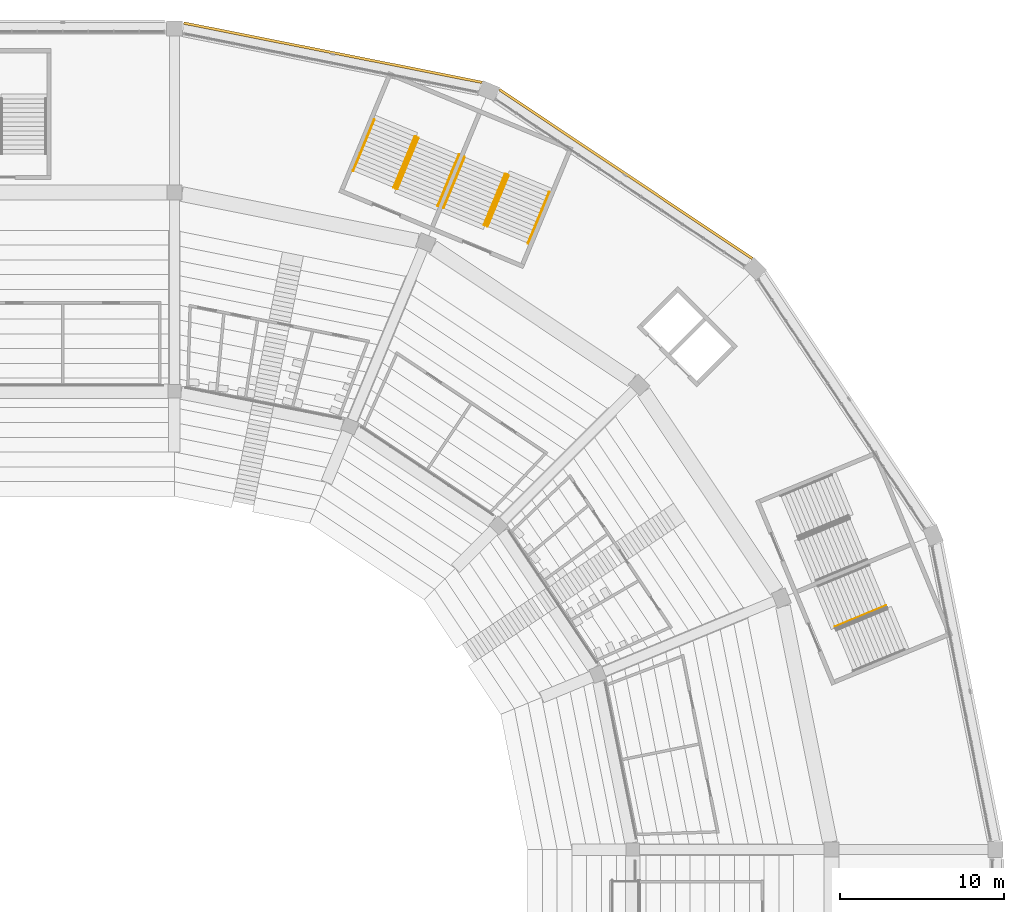
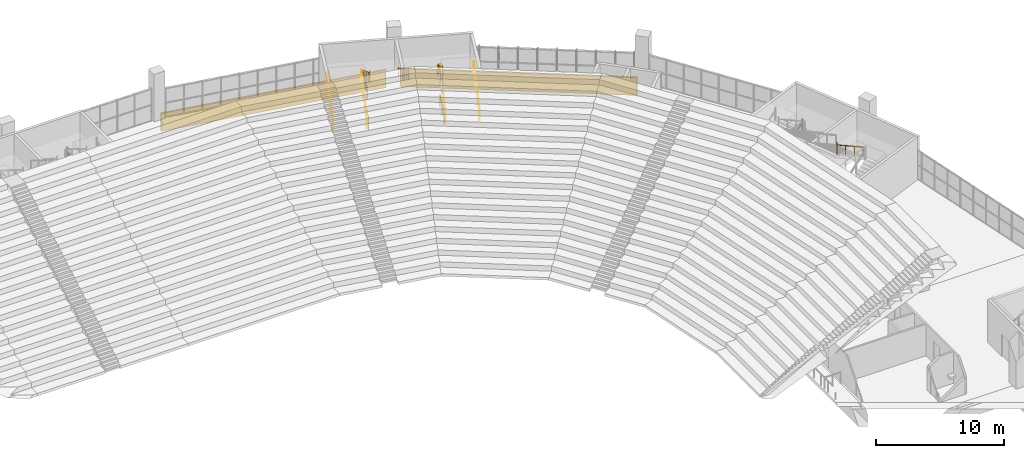
# One storey, part 242 of 249: 13 railings, 2 coverings.
"""IFC4 building model written with IfcOpenShell, lengths in metres."""

import ifcopenshell
import ifcopenshell.guid

model = None  # the IFC model being written
_history = None  # IfcOwnerHistory: only IFC2X3 demands one
_inside = {}  # id of a spatial element -> (the spatial element, [elements in it])
_under = {}  # id of a project, library or spatial element -> (it, [spatial elements below it])
_declared = {}  # id of a project -> (the project, [libraries it declares])
_typed = {}  # id of a type object -> (the type object, [elements of that type])
_made_of = {}  # id of a material, layer set ... -> (it, [elements and type objects made of it])


def new_model(schema):
    """Start an empty IFC model of exactly this schema.

    Asked for "IFC4X3", IfcOpenShell would pick the latest addendum, in which some entities
    have other attributes; the version numbers below select the first issue.
    IFC2X3 requires an IfcOwnerHistory on every rooted entity: one is made here for all.
    """
    global model, _history
    if schema == "IFC4X3":
        model = ifcopenshell.file(schema_version=(4, 3, 0, 0))
    else:
        model = ifcopenshell.file(schema=schema)
    _inside.clear()
    _under.clear()
    _declared.clear()
    _typed.clear()
    _made_of.clear()
    _history = None
    if model.schema == "IFC2X3":
        org = make("IfcOrganization", Name="unknown")
        user = make(
            "IfcPersonAndOrganization",
            ThePerson=make("IfcPerson", FamilyName="unknown"),
            TheOrganization=org,
        )
        app = make(
            "IfcApplication",
            ApplicationDeveloper=org,
            Version="unknown",
            ApplicationFullName="unknown",
            ApplicationIdentifier="unknown",
        )
        _history = make(
            "IfcOwnerHistory",
            OwningUser=user,
            OwningApplication=app,
            ChangeAction="ADDED",
            CreationDate=0,
        )
    return model


def make(cls, **values):
    """One entity of the class cls with the attributes given. An attribute that is None is left unset."""
    return model.create_entity(
        cls, **{name: value for name, value in values.items() if value is not None}
    )


def rooted(cls, **values):
    """An entity with a GlobalId (a new one), such as an element, a storey or a relation."""
    return make(cls, GlobalId=ifcopenshell.guid.new(), OwnerHistory=_history, **values)


def si_unit(unit_type, name, prefix=None):
    """IfcSIUnit, for example si_unit("LENGTHUNIT", "METRE", prefix="MILLI")."""
    return make("IfcSIUnit", UnitType=unit_type, Prefix=prefix, Name=name)


def assignment(units):
    """IfcUnitAssignment: the units of a project."""
    return None if units is None else make("IfcUnitAssignment", Units=units)


def point(xyz):
    """IfcCartesianPoint."""
    return None if xyz is None else make("IfcCartesianPoint", Coordinates=xyz)


def direction(xyz):
    """IfcDirection."""
    return None if xyz is None else make("IfcDirection", DirectionRatios=xyz)


def frame(location, z_axis=None, x_axis=None):
    """IfcAxis2Placement3D, a coordinate frame: its origin and axes. An axis left out is left unset."""
    return make(
        "IfcAxis2Placement3D",
        Location=point(location),
        Axis=direction(z_axis),
        RefDirection=direction(x_axis),
    )


def frame_2d(location, x_axis=None):
    """IfcAxis2Placement2D, a coordinate frame in the plane: its origin and x axis."""
    return make(
        "IfcAxis2Placement2D", Location=point(location), RefDirection=direction(x_axis)
    )


def origin():
    """The frame at (0, 0, 0) with its axes left unset."""
    return frame((0.0, 0.0, 0.0))


def origin_2d():
    """The frame at (0, 0) in the plane with its x axis left unset."""
    return frame_2d((0.0, 0.0))


def place(relative_to, where):
    """IfcLocalPlacement: puts the frame where relative to a parent placement (None: the world)."""
    return make(
        "IfcLocalPlacement", PlacementRelTo=relative_to, RelativePlacement=where
    )


def context(
    kind, dimensions, precision=None, world=None, true_north=None, identifier=None
):
    """IfcGeometricRepresentationContext, for example the 3D "Model" context."""
    return make(
        "IfcGeometricRepresentationContext",
        ContextIdentifier=identifier,
        ContextType=kind,
        CoordinateSpaceDimension=dimensions,
        Precision=precision,
        WorldCoordinateSystem=world,
        TrueNorth=true_north,
    )


def subcontext(parent, identifier, kind, view, scale=None):
    """IfcGeometricRepresentationSubContext, for example "Body" below "Model"."""
    return make(
        "IfcGeometricRepresentationSubContext",
        ContextIdentifier=identifier,
        ContextType=kind,
        ParentContext=parent,
        TargetScale=scale,
        TargetView=view,
    )


def project(units=None, contexts=None):
    """IfcProject with its units and contexts."""
    return rooted(
        "IfcProject",
        Name="project",
        RepresentationContexts=contexts,
        UnitsInContext=assignment(units),
    )


def spatial(cls, under=None, at=None, **own):
    """A site, building, storey or space (cls), placed at a placement, below another one or the project."""
    s = rooted(cls, ObjectPlacement=at, **own)
    if under is not None:
        _under.setdefault(under.id(), (under, []))[1].append(s)
    return s


def polyline(points):
    """IfcPolyline through the points."""
    return make("IfcPolyline", Points=[point(p) for p in points])


def profile(cls, at=None, kind="AREA", **sizes):
    """A parametric profile (cls). Its sizes go by their IFC names, for example OverallWidth=200.0."""
    return make(cls, ProfileType=kind, Position=at, **sizes)


def circle(**sizes):
    """IfcCircleProfileDef."""
    return profile("IfcCircleProfileDef", **sizes)


def outline(outer, holes=None, kind="AREA"):
    """IfcArbitraryClosedProfileDef: a profile drawn as a closed curve; with holes, ...WithVoids."""
    if holes is None:
        return make("IfcArbitraryClosedProfileDef", ProfileType=kind, OuterCurve=outer)
    return make(
        "IfcArbitraryProfileDefWithVoids",
        ProfileType=kind,
        OuterCurve=outer,
        InnerCurves=holes,
    )


def extrude(swept, where, along, depth):
    """IfcExtrudedAreaSolid: the profile swept, set in the frame where, extruded along a direction by depth."""
    return make(
        "IfcExtrudedAreaSolid",
        SweptArea=swept,
        Position=where,
        ExtrudedDirection=direction(along),
        Depth=depth,
    )


def shape(context_of_items, identifier, shape_type, items):
    """IfcShapeRepresentation: the items that make up one representation, for example the "Body"."""
    return make(
        "IfcShapeRepresentation",
        ContextOfItems=context_of_items,
        RepresentationIdentifier=identifier,
        RepresentationType=shape_type,
        Items=items,
    )


def material(Name=None, Category=None):
    """IfcMaterial."""
    return make("IfcMaterial", Name=Name, Category=Category)


def layer(
    of_material, thickness, ventilated=None, Name=None, Category=None, Priority=None
):
    """IfcMaterialLayer: one layer of a wall or slab, of a material (None: an air gap)."""
    return make(
        "IfcMaterialLayer",
        Material=of_material,
        LayerThickness=thickness,
        IsVentilated=ventilated,
        Name=Name,
        Category=Category,
        Priority=Priority,
    )


def layer_set(layers, Name=None):
    """IfcMaterialLayerSet."""
    return make("IfcMaterialLayerSet", MaterialLayers=layers, LayerSetName=Name)


def made_of(thing, what):
    """Note that an element or type object is made of a material, layer set ...; save() writes the relation."""
    if what is not None:
        _made_of.setdefault(what.id(), (what, []))[1].append(thing)
    return thing


def type_object(cls, material=None, **own):
    """A type object (cls), such as IfcWallType, which elements share."""
    return made_of(rooted(cls, **own), material)


def element(
    cls,
    number,
    at=None,
    inside=None,
    cuts=None,
    type_object=None,
    material=None,
    context=None,
    identifier="Body",
    shape_type=None,
    held_by="IfcProductDefinitionShape",
    body=None,
    shapes=None,
    **own,
):
    """One element of the class cls, such as IfcWall. Its Tag is "e" and its number.

    at: its placement. inside: the storey or other place that contains it. cuts: it is an
    opening in that element (IfcRelVoidsElement). A single representation is given by context,
    identifier, shape_type and body (its items); several are given by shapes. held_by: the class
    of the entity that holds the representations. save() writes the other relations.
    """
    e = rooted(cls, Tag="e%d" % number, ObjectPlacement=at, **own)
    if body is not None:
        shapes = [shape(context, identifier, shape_type, body)]
    if shapes is not None:
        e.Representation = make(held_by, Representations=shapes)
    if inside is not None:
        _inside.setdefault(inside.id(), (inside, []))[1].append(e)
    if cuts is not None:
        rooted(
            "IfcRelVoidsElement", RelatingBuildingElement=cuts, RelatedOpeningElement=e
        )
    if type_object is not None:
        _typed.setdefault(type_object.id(), (type_object, []))[1].append(e)
    return made_of(e, material)


def aggregate(whole, parts):
    """IfcRelAggregates: a whole, such as a stair, and the parts it consists of."""
    return rooted("IfcRelAggregates", RelatingObject=whole, RelatedObjects=parts)


def save(model, path):
    """Write the relations noted so far, then the file.

    IfcRelAggregates (storeys below a building ...), IfcRelContainedInSpatialStructure (elements
    in a storey), IfcRelDefinesByType, IfcRelAssociatesMaterial and IfcRelDeclares: one each for
    every whole, place, type object, material and project.
    """
    for whole, parts in _under.values():
        aggregate(whole, parts)
    for where, things in _inside.values():
        rooted(
            "IfcRelContainedInSpatialStructure",
            RelatedElements=things,
            RelatingStructure=where,
        )
    for kind, things in _typed.values():
        rooted("IfcRelDefinesByType", RelatedObjects=things, RelatingType=kind)
    for what, things in _made_of.values():
        rooted("IfcRelAssociatesMaterial", RelatedObjects=things, RelatingMaterial=what)
    for by, libraries in _declared.values():
        rooted("IfcRelDeclares", RelatingContext=by, RelatedDefinitions=libraries)
    model.write(path)


model = new_model("IFC4")

# Units and contexts
model_context = context("Model", 3, precision=1e-05, world=origin(), true_north=direction((0.0, 1.0)))
body_context = subcontext(model_context, "Body", "Model", "MODEL_VIEW")
ifc_project = project(units=[si_unit("LENGTHUNIT", "METRE"), si_unit("AREAUNIT", "SQUARE_METRE"), si_unit("VOLUMEUNIT", "CUBIC_METRE"), si_unit("PLANEANGLEUNIT", "RADIAN"), si_unit("MASSUNIT", "GRAM", prefix="KILO")], contexts=[model_context])

# Site, building, storey
site_placement = place(None, origin())
site = spatial("IfcSite", under=ifc_project, at=site_placement, CompositionType="ELEMENT")
building_placement = place(site_placement, origin())
building = spatial("IfcBuilding", under=site, at=building_placement, Name="Ogive Plaza Stadium", CompositionType="ELEMENT")
storey_placement = place(building_placement, frame((0.0, 0.0, 13.5)))
storey = spatial("IfcBuildingStorey", under=building, at=storey_placement, Name="L03", CompositionType="ELEMENT", Elevation=13.5)

# Railings
ifc_material_1 = material(Name="Steel ASTM A572 Grade 50", Category="steel")
railing_type_1 = type_object("IfcRailingType", Name="Guard 1100", PredefinedType="GUARDRAIL", material=ifc_material_1)
for number, where, name in (
    (1, (52.955078125, 90.48779296875, 0.0), "Stair well guard ST38A L03"),
    (2, (53.322509765625, 91.374755859375, 2.25), "Stair well guard ST38A L03"),
    (3, (47.4580078125, 92.764892578125, 0.0), "Stair well guard ST38B L03"),
    (4, (47.825439453125, 93.651611328125, 2.25), "Stair well guard ST38B L03"),
):
    element("IfcRailing", number, at=place(storey_placement, frame(where)), inside=storey, type_object=railing_type_1, Name=name, PredefinedType="GUARDRAIL", context=body_context, shape_type="SweptSolid", body=[
        extrude(circle(Radius=0.02392578125, at=origin_2d()), frame((0.0, 0.0, 1.076171875), z_axis=(0.382693194178, 0.923875488976, 0.0), x_axis=(-0.923875488976, 0.382693194178, 0.0)), (0.0, 0.0, 1.0), 2.39990234375),
        extrude(circle(Radius=0.02099609375, at=origin_2d()), origin(), (0.0, 0.0, 1.0), 1.052001953125),
        extrude(circle(Radius=0.02099609375, at=origin_2d()), frame((0.459228515625, 1.108642578125, 0.0)), (0.0, 0.0, 1.0), 1.052001953125),
        extrude(circle(Radius=0.02099609375, at=origin_2d()), frame((0.91845703125, 2.21728515625, 0.0)), (0.0, 0.0, 1.0), 1.052001953125),
    ])
ifc_material_2 = material(Name="Steel ASTM A572 Grade 50", Category="steel")
railing_type_2 = type_object("IfcRailingType", Name="Handrail 900", PredefinedType="HANDRAIL", material=ifc_material_2)
railing_1_placement = place(storey_placement, frame((55.53271484375, 89.420166015625, 0.173095703125)))
element("IfcRailing", 5, at=railing_1_placement, inside=storey, type_object=railing_type_2, Name="Handrail ST38A L03", PredefinedType="HANDRAIL", context=body_context, shape_type="SweptSolid", body=[
    extrude(circle(Radius=0.02392578125, at=origin_2d()), frame((0.0, 0.0, 0.8759765625), z_axis=(0.32553207776, 0.785862990074, 0.525783441334), x_axis=(-0.923872479269, 0.382700459954, 0.0)), (0.0, 0.0, 1.0), 3.9501953125),
    extrude(circle(Radius=0.02099609375, at=origin_2d()), origin(), (0.0, 0.0, 1.0), 0.851806640625),
    extrude(circle(Radius=0.02099609375, at=origin_2d()), frame((0.4287109375, 1.03466796875, 0.6923828125)), (0.0, 0.0, 1.0), 0.851806640625),
    extrude(circle(Radius=0.02099609375, at=origin_2d()), frame((0.857177734375, 2.069580078125, 1.384521484375)), (0.0, 0.0, 1.0), 0.851806640625),
    extrude(circle(Radius=0.02099609375, at=origin_2d()), frame((1.285888671875, 3.104248046875, 2.076904296875)), (0.0, 0.0, 1.0), 1.10009765625),
])
railing_2_placement = place(storey_placement, frame((53.056884765625, 90.44580078125, 0.173095703125)))
element("IfcRailing", 6, at=railing_2_placement, inside=storey, type_object=railing_type_2, Name="Handrail ST38A L03", PredefinedType="HANDRAIL", context=body_context, shape_type="SweptSolid", body=[
    extrude(circle(Radius=0.02392578125, at=origin_2d()), frame((0.0, 0.0, 0.8759765625), z_axis=(0.325476819766, 0.785878800478, 0.525794019321), x_axis=(-0.923898168054, 0.382638439086, 0.0)), (0.0, 0.0, 1.0), 3.949951171875),
    extrude(circle(Radius=0.02099609375, at=origin_2d()), origin(), (0.0, 0.0, 1.0), 0.851806640625),
    extrude(circle(Radius=0.02099609375, at=origin_2d()), frame((0.428466796875, 1.03466796875, 0.6923828125)), (0.0, 0.0, 1.0), 0.851806640625),
    extrude(circle(Radius=0.02099609375, at=origin_2d()), frame((0.857177734375, 2.069580078125, 1.384521484375)), (0.0, 0.0, 1.0), 0.851806640625),
    extrude(circle(Radius=0.02099609375, at=origin_2d()), frame((1.28564453125, 3.104248046875, 2.076904296875)), (0.0, 0.0, 1.0), 1.10009765625),
])
railing_3_placement = place(storey_placement, frame((54.139404296875, 93.634033203125, 2.423095703125)))
element("IfcRailing", 7, at=railing_3_placement, inside=storey, type_object=railing_type_2, Name="Handrail ST38A L03", PredefinedType="HANDRAIL", context=body_context, shape_type="SweptSolid", body=[
    extrude(circle(Radius=0.02392578125, at=origin_2d()), frame((0.0, 0.0, 0.8759765625), z_axis=(-0.325547889718, -0.78583935255, 0.525808980033), x_axis=(0.923861836433, -0.382726151683, 0.0)), (0.0, 0.0, 1.0), 3.949951171875),
    extrude(circle(Radius=0.02099609375, at=origin_2d()), origin(), (0.0, 0.0, 1.0), 0.851806640625),
    extrude(circle(Radius=0.02099609375, at=origin_2d()), frame((-0.4287109375, -1.03466796875, 0.6923828125)), (0.0, 0.0, 1.0), 0.851806640625),
    extrude(circle(Radius=0.02099609375, at=origin_2d()), frame((-0.857177734375, -2.0693359375, 1.384521484375)), (0.0, 0.0, 1.0), 0.851806640625),
    extrude(circle(Radius=0.02099609375, at=origin_2d()), frame((-1.285888671875, -3.10400390625, 2.076904296875)), (0.0, 0.0, 1.0), 1.10009765625),
])
railing_4_placement = place(storey_placement, frame((51.663330078125, 94.65966796875, 2.423095703125)))
element("IfcRailing", 8, at=railing_4_placement, inside=storey, type_object=railing_type_2, Name="Handrail ST38A L03", PredefinedType="HANDRAIL", context=body_context, shape_type="SweptSolid", body=[
    extrude(circle(Radius=0.02392578125, at=origin_2d()), frame((0.0, 0.0, 0.8759765625), z_axis=(-0.32553207776, -0.785862990074, 0.525783441334), x_axis=(0.923872479269, -0.382700459954, 0.0)), (0.0, 0.0, 1.0), 3.9501953125),
    extrude(circle(Radius=0.02099609375, at=origin_2d()), origin(), (0.0, 0.0, 1.0), 0.851806640625),
    extrude(circle(Radius=0.02099609375, at=origin_2d()), frame((-0.4287109375, -1.03466796875, 0.6923828125)), (0.0, 0.0, 1.0), 0.851806640625),
    extrude(circle(Radius=0.02099609375, at=origin_2d()), frame((-0.857177734375, -2.069580078125, 1.384521484375)), (0.0, 0.0, 1.0), 0.851806640625),
    extrude(circle(Radius=0.02099609375, at=origin_2d()), frame((-1.285888671875, -3.104248046875, 2.076904296875)), (0.0, 0.0, 1.0), 1.10009765625),
])
for number, where, name in (
    (9, (47.3564453125, 92.806884765625, 0.173095703125), "Handrail ST38B L03"),
    (10, (44.88037109375, 93.83251953125, 0.173095703125), "Handrail ST38B L03"),
):
    element("IfcRailing", number, at=place(storey_placement, frame(where)), inside=storey, type_object=railing_type_2, Name=name, PredefinedType="HANDRAIL", context=body_context, shape_type="SweptSolid", body=[
        extrude(circle(Radius=0.02392578125, at=origin_2d()), frame((0.0, 0.0, 0.8759765625), z_axis=(0.32553207776, 0.785862990074, 0.525783441334), x_axis=(-0.923872479269, 0.382700459954, 0.0)), (0.0, 0.0, 1.0), 3.9501953125),
        extrude(circle(Radius=0.02099609375, at=origin_2d()), origin(), (0.0, 0.0, 1.0), 0.851806640625),
        extrude(circle(Radius=0.02099609375, at=origin_2d()), frame((0.4287109375, 1.03466796875, 0.6923828125)), (0.0, 0.0, 1.0), 0.851806640625),
        extrude(circle(Radius=0.02099609375, at=origin_2d()), frame((0.857177734375, 2.069580078125, 1.384521484375)), (0.0, 0.0, 1.0), 0.851806640625),
        extrude(circle(Radius=0.02099609375, at=origin_2d()), frame((1.285888671875, 3.104248046875, 2.076904296875)), (0.0, 0.0, 1.0), 1.10009765625),
    ])
railing_5_placement = place(storey_placement, frame((51.321533203125, 94.80126953125, 2.423095703125)))
element("IfcRailing", 11, at=railing_5_placement, inside=storey, type_object=railing_type_2, Name="Handrail ST38B L03", PredefinedType="HANDRAIL", context=body_context, shape_type="SweptSolid", body=[
    extrude(circle(Radius=0.02392578125, at=origin_2d()), frame((0.0, 0.0, 0.8759765625), z_axis=(-0.32553207776, -0.785862990074, 0.525783441334), x_axis=(0.923872479269, -0.382700459954, 0.0)), (0.0, 0.0, 1.0), 3.9501953125),
    extrude(circle(Radius=0.02099609375, at=origin_2d()), origin(), (0.0, 0.0, 1.0), 0.851806640625),
    extrude(circle(Radius=0.02099609375, at=origin_2d()), frame((-0.4287109375, -1.03466796875, 0.6923828125)), (0.0, 0.0, 1.0), 0.851806640625),
    extrude(circle(Radius=0.02099609375, at=origin_2d()), frame((-0.857177734375, -2.069580078125, 1.384521484375)), (0.0, 0.0, 1.0), 0.851806640625),
    extrude(circle(Radius=0.02099609375, at=origin_2d()), frame((-1.285888671875, -3.104248046875, 2.076904296875)), (0.0, 0.0, 1.0), 1.10009765625),
])
railing_6_placement = place(storey_placement, frame((48.845458984375, 95.826904296875, 2.423095703125)))
element("IfcRailing", 12, at=railing_6_placement, inside=storey, type_object=railing_type_2, Name="Handrail ST38B L03", PredefinedType="HANDRAIL", context=body_context, shape_type="SweptSolid", body=[
    extrude(circle(Radius=0.02392578125, at=origin_2d()), frame((0.0, 0.0, 0.8759765625), z_axis=(-0.325476819766, -0.785878800478, 0.525794019321), x_axis=(0.923898168054, -0.382638439086, 0.0)), (0.0, 0.0, 1.0), 3.949951171875),
    extrude(circle(Radius=0.02099609375, at=origin_2d()), origin(), (0.0, 0.0, 1.0), 0.851806640625),
    extrude(circle(Radius=0.02099609375, at=origin_2d()), frame((-0.428466796875, -1.03466796875, 0.6923828125)), (0.0, 0.0, 1.0), 0.851806640625),
    extrude(circle(Radius=0.02099609375, at=origin_2d()), frame((-0.857177734375, -2.069580078125, 1.384521484375)), (0.0, 0.0, 1.0), 0.851806640625),
    extrude(circle(Radius=0.02099609375, at=origin_2d()), frame((-1.28564453125, -3.104248046875, 2.076904296875)), (0.0, 0.0, 1.0), 1.10009765625),
])
railing_7_placement = place(storey_placement, frame((77.326904296875, 67.345458984375, 2.423095703125)))
element("IfcRailing", 13, at=railing_7_placement, inside=storey, type_object=railing_type_2, Name="Handrail ST40A L03", PredefinedType="HANDRAIL", context=body_context, shape_type="SweptSolid", body=[
    extrude(circle(Radius=0.02392578125, at=origin_2d()), frame((0.0, 0.0, 0.8759765625), z_axis=(-0.785878800478, -0.325476819766, 0.525794019321), x_axis=(0.382638439086, -0.923898168054, 0.0)), (0.0, 0.0, 1.0), 3.949951171875),
    extrude(circle(Radius=0.02099609375, at=origin_2d()), origin(), (0.0, 0.0, 1.0), 0.851806640625),
    extrude(circle(Radius=0.02099609375, at=origin_2d()), frame((-1.03466796875, -0.428466796875, 0.6923828125)), (0.0, 0.0, 1.0), 0.851806640625),
    extrude(circle(Radius=0.02099609375, at=origin_2d()), frame((-2.069580078125, -0.857177734375, 1.384521484375)), (0.0, 0.0, 1.0), 0.851806640625),
    extrude(circle(Radius=0.02099609375, at=origin_2d()), frame((-3.104248046875, -1.28564453125, 2.076904296875)), (0.0, 0.0, 1.0), 1.10009765625),
])

# Coverings
ifc_material_3 = material(Name="Cast stone (reconstituted limestone)", Category="masonry")
ifc_layer = layer(ifc_material_3, 0.159912109375)
ifc_layer_set = layer_set([ifc_layer], Name="Precast spandrel cladding 160")
covering_type = type_object("IfcCoveringType", Name="Precast spandrel cladding 160", PredefinedType="CLADDING", material=ifc_layer_set)
covering_1_placement = place(storey_placement, frame((0.0, 0.0, -1.7099609375)))
element("IfcCovering", 14, at=covering_1_placement, inside=storey, type_object=covering_type, Name="SPANDREL CLADDING B37 L03", PredefinedType="CLADDING", context=body_context, shape_type="SweptSolid", body=[
    extrude(outline(polyline([(34.550048828125, 102.74755859375), (52.720703125, 99.133056640625), (52.751953125, 99.2900390625), (34.581298828125, 102.904296875), (34.550048828125, 102.74755859375)])), origin(), (0.0, 0.0, 1.0), 1.7099609375),
])
covering_2_placement = place(storey_placement, frame((0.0, 0.0, -1.7099609375)))
element("IfcCovering", 15, at=covering_2_placement, inside=storey, type_object=covering_type, Name="SPANDREL CLADDING B38 L03", PredefinedType="CLADDING", context=body_context, shape_type="SweptSolid", body=[
    extrude(outline(polyline([(53.737060546875, 98.712158203125), (69.141357421875, 88.419189453125), (69.230224609375, 88.55224609375), (53.825927734375, 98.84521484375), (53.737060546875, 98.712158203125)])), origin(), (0.0, 0.0, 1.0), 1.7099609375),
])

save(model, "model.ifc")
